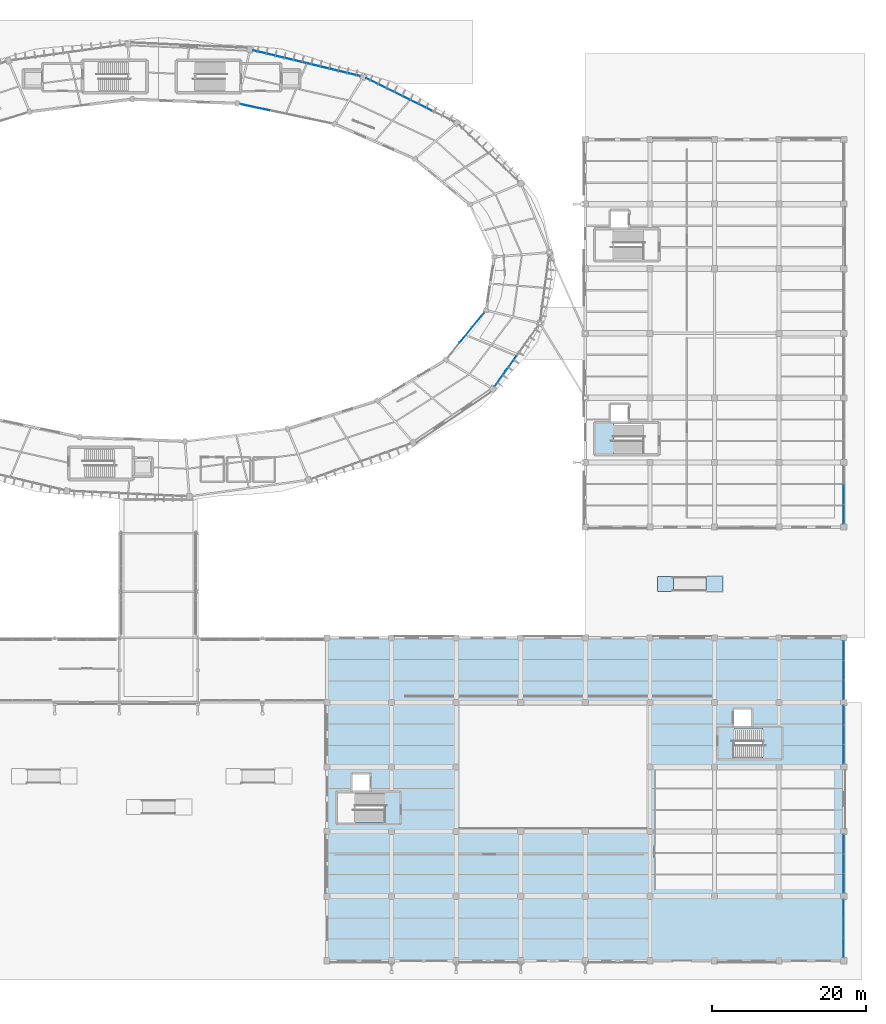
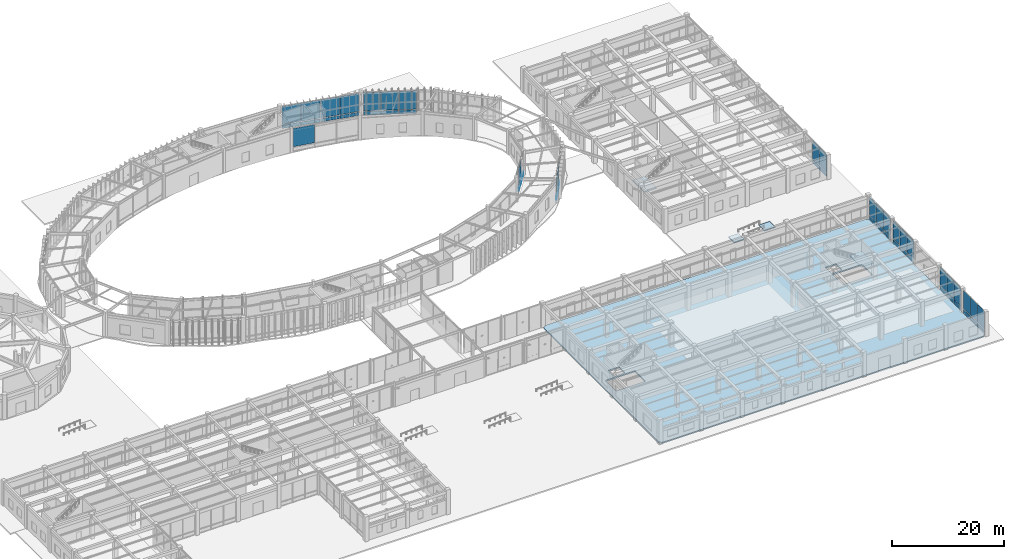
# One storey, part 116 of 157: 50 plates, 5 slabs, 13 elements without a shape of their own.
"""IFC4 building model written with IfcOpenShell, lengths in metres."""

from ifc_helpers import new_model, si_unit, direction, frame, origin, origin_2d, place, context, subcontext, project, spatial, polyline, rectangle, outline, extrude, material, layer, layer_set, type_object, element, aggregate, save


model = new_model("IFC4")

# Units and contexts
model_context = context("Model", 3, precision=1e-05, world=origin(), true_north=direction((0.0, 1.0)))
body_context = subcontext(model_context, "Body", "Model", "MODEL_VIEW")
ifc_project = project(units=[si_unit("LENGTHUNIT", "METRE"), si_unit("AREAUNIT", "SQUARE_METRE"), si_unit("VOLUMEUNIT", "CUBIC_METRE"), si_unit("PLANEANGLEUNIT", "RADIAN"), si_unit("MASSUNIT", "GRAM", prefix="KILO"), si_unit("THERMODYNAMICTEMPERATUREUNIT", "KELVIN"), si_unit("POWERUNIT", "WATT")], contexts=[model_context])

# Site, building, storey
site_placement = place(None, origin())
site = spatial("IfcSite", under=ifc_project, at=site_placement, CompositionType="ELEMENT")
building_placement = place(site_placement, origin())
building = spatial("IfcBuilding", under=site, at=building_placement, Name="Darbajah Civic Hall", CompositionType="ELEMENT")
storey_placement = place(building_placement, origin())
storey = spatial("IfcBuildingStorey", under=building, at=storey_placement, Name="L00", CompositionType="ELEMENT", Elevation=0.0)

# Curtain wall, plates
ifc_material_1 = material(Name="Anodised Bronze Aluminium and Low-E Glazing", Category="aluminium")
curtain_wall_type_1 = type_object("IfcCurtainWallType", Name="Unitised Curtain Wall CW-02 12800x5100", PredefinedType="USERDEFINED", material=ifc_material_1)
curtain_wall_1_placement = place(storey_placement, origin())
curtain_wall_1 = element("IfcCurtainWall", 1, at=curtain_wall_1_placement, inside=storey, type_object=curtain_wall_type_1, Name="L00 unitised curtain wall CW-V1O-L00-02", ObjectType="UNITISED CURTAIN WALL", PredefinedType="USERDEFINED")
ifc_material_2 = material(Name="Low-E Solar Control Double Glazing", Category="glass")
ifc_layer_1 = layer(ifc_material_2, 0.02392578125, Name="Low-E Solar Control Double Glazing")
ifc_layer_set_1 = layer_set([ifc_layer_1], Name="Low-E Solar Control Double Glazing")
plate_type_1 = type_object("IfcPlateType", Name="Solar Double Glazing 24mm", PredefinedType="CURTAIN_PANEL", material=ifc_layer_set_1)
plate_1_placement = place(storey_placement, frame((123.24609375, 111.248291015625, 0.10009765625), z_axis=(0.0, 0.0, 1.0), x_axis=(-0.89656374724, 0.442914717678, 0.0)))
plate_1 = element("IfcPlate", 2, at=plate_1_placement, type_object=plate_type_1, Name="CW-V1O-L00-02 glazed panel 2.1", PredefinedType="CURTAIN_PANEL", context=body_context, shape_type="SweptSolid", body=[
    extrude(rectangle(XDim=3.1298828125, YDim=0.02392578125, at=origin_2d()), origin(), (0.0, 0.0, 1.0), 0.800048828125),
])
plate_2_placement = place(storey_placement, frame((123.24609375, 111.248291015625, 1.0), z_axis=(0.0, 0.0, 1.0), x_axis=(-0.89656374724, 0.442914717678, 0.0)))
plate_2 = element("IfcPlate", 3, at=plate_2_placement, type_object=plate_type_1, Name="CW-V1O-L00-02 glazed panel 2.2", PredefinedType="CURTAIN_PANEL", context=body_context, shape_type="SweptSolid", body=[
    extrude(rectangle(XDim=3.1298828125, YDim=0.02392578125, at=origin_2d()), origin(), (0.0, 0.0, 1.0), 4.02001953125),
])
plate_3_placement = place(storey_placement, frame((120.3818359375, 112.663330078125, 0.10009765625), z_axis=(0.0, 0.0, 1.0), x_axis=(-0.89656374724, 0.442914717678, 0.0)))
plate_3 = element("IfcPlate", 4, at=plate_3_placement, type_object=plate_type_1, Name="CW-V1O-L00-02 glazed panel 3.1", PredefinedType="CURTAIN_PANEL", context=body_context, shape_type="SweptSolid", body=[
    extrude(rectangle(XDim=3.1298828125, YDim=0.02392578125, at=origin_2d()), origin(), (0.0, 0.0, 1.0), 0.800048828125),
])
plate_4_placement = place(storey_placement, frame((120.3818359375, 112.663330078125, 1.0), z_axis=(0.0, 0.0, 1.0), x_axis=(-0.89656374724, 0.442914717678, 0.0)))
plate_4 = element("IfcPlate", 5, at=plate_4_placement, type_object=plate_type_1, Name="CW-V1O-L00-02 glazed panel 3.2", PredefinedType="CURTAIN_PANEL", context=body_context, shape_type="SweptSolid", body=[
    extrude(rectangle(XDim=3.1298828125, YDim=0.02392578125, at=origin_2d()), origin(), (0.0, 0.0, 1.0), 4.02001953125),
])
plate_5_placement = place(storey_placement, frame((117.517578125, 114.078369140625, 0.10009765625), z_axis=(0.0, 0.0, 1.0), x_axis=(-0.89656374724, 0.442914717678, 0.0)))
plate_5 = element("IfcPlate", 6, at=plate_5_placement, type_object=plate_type_1, Name="CW-V1O-L00-02 glazed panel 4.1", PredefinedType="CURTAIN_PANEL", context=body_context, shape_type="SweptSolid", body=[
    extrude(rectangle(XDim=3.1298828125, YDim=0.02392578125, at=origin_2d()), origin(), (0.0, 0.0, 1.0), 0.800048828125),
])
plate_6_placement = place(storey_placement, frame((117.517578125, 114.078369140625, 1.0), z_axis=(0.0, 0.0, 1.0), x_axis=(-0.89656374724, 0.442914717678, 0.0)))
plate_6 = element("IfcPlate", 7, at=plate_6_placement, type_object=plate_type_1, Name="CW-V1O-L00-02 glazed panel 4.2", PredefinedType="CURTAIN_PANEL", context=body_context, shape_type="SweptSolid", body=[
    extrude(rectangle(XDim=3.1298828125, YDim=0.02392578125, at=origin_2d()), origin(), (0.0, 0.0, 1.0), 4.02001953125),
])
aggregate(curtain_wall_1, [plate_1, plate_2, plate_3, plate_4, plate_5, plate_6])

# Curtain wall, plate
curtain_wall_type_2 = type_object("IfcCurtainWallType", Name="Unitised Curtain Wall CW-04 12200x5100", PredefinedType="USERDEFINED", material=ifc_material_1)
curtain_wall_2_placement = place(storey_placement, origin())
curtain_wall_2 = element("IfcCurtainWall", 8, at=curtain_wall_2_placement, inside=storey, type_object=curtain_wall_type_2, Name="L00 unitised curtain wall CW-V1I-L00-03", ObjectType="UNITISED CURTAIN WALL", PredefinedType="USERDEFINED")
ifc_layer_2 = layer(ifc_material_2, 0.028076171875, Name="Low-E Solar Control Double Glazing")
ifc_layer_set_2 = layer_set([ifc_layer_2], Name="Low-E Solar Control Double Glazing")
plate_type_2 = type_object("IfcPlateType", Name="Solar Double Glazing 28mm", PredefinedType="CURTAIN_PANEL", material=ifc_layer_set_2)
plate_7_placement = place(storey_placement, frame((101.66455078125, 110.990478515625, 1.009765625), z_axis=(0.0, 0.0, 1.0), x_axis=(-0.978472980779, 0.206374964291, 0.0)))
plate_7 = element("IfcPlate", 9, at=plate_7_placement, type_object=plate_type_2, Name="CW-V1I-L00-03 glazed panel 3.2", PredefinedType="CURTAIN_PANEL", context=body_context, shape_type="SweptSolid", body=[
    extrude(rectangle(XDim=4.00830078125, YDim=0.028076171875, at=origin_2d()), origin(), (0.0, 0.0, 1.0), 3.989990234375),
])
aggregate(curtain_wall_2, [plate_7])

# Curtain wall, plates
curtain_wall_type_3 = type_object("IfcCurtainWallType", Name="Unitised Curtain Wall CW-17 7600x5100", PredefinedType="USERDEFINED", material=ifc_material_1)
curtain_wall_3_placement = place(storey_placement, origin())
curtain_wall_3 = element("IfcCurtainWall", 10, at=curtain_wall_3_placement, inside=storey, type_object=curtain_wall_type_3, Name="L00 unitised curtain wall CW-V1I-L00-18", ObjectType="UNITISED CURTAIN WALL", PredefinedType="USERDEFINED")
plate_8_placement = place(storey_placement, frame((129.067626953125, 81.371337890625, 0.119873046875), z_axis=(0.0, 0.0, 1.0), x_axis=(0.63108205791, 0.775716079622, 0.0)))
plate_8 = element("IfcPlate", 11, at=plate_8_placement, type_object=plate_type_2, Name="CW-V1I-L00-18 glazed panel 2.1", PredefinedType="CURTAIN_PANEL", context=body_context, shape_type="SweptSolid", body=[
    extrude(rectangle(XDim=2.46533203125, YDim=0.028076171875, at=origin_2d()), origin(), (0.0, 0.0, 1.0), 0.77001953125),
])
plate_9_placement = place(storey_placement, frame((129.067626953125, 81.371337890625, 1.009765625), z_axis=(0.0, 0.0, 1.0), x_axis=(0.63108205791, 0.775716079622, 0.0)))
plate_9 = element("IfcPlate", 12, at=plate_9_placement, type_object=plate_type_2, Name="CW-V1I-L00-18 glazed panel 2.2", PredefinedType="CURTAIN_PANEL", context=body_context, shape_type="SweptSolid", body=[
    extrude(rectangle(XDim=2.46533203125, YDim=0.028076171875, at=origin_2d()), origin(), (0.0, 0.0, 1.0), 3.989990234375),
])
plate_10_placement = place(storey_placement, frame((130.667724609375, 83.337890625, 0.119873046875), z_axis=(0.0, 0.0, 1.0), x_axis=(0.63108205791, 0.775716079622, 0.0)))
plate_10 = element("IfcPlate", 13, at=plate_10_placement, type_object=plate_type_2, Name="CW-V1I-L00-18 glazed panel 3.1", PredefinedType="CURTAIN_PANEL", context=body_context, shape_type="SweptSolid", body=[
    extrude(rectangle(XDim=2.46533203125, YDim=0.028076171875, at=origin_2d()), origin(), (0.0, 0.0, 1.0), 0.77001953125),
])
aggregate(curtain_wall_3, [plate_8, plate_9, plate_10])

curtain_wall_type_4 = type_object("IfcCurtainWallType", Name="Unitised Curtain Wall CW-03 14400x5100", PredefinedType="USERDEFINED", material=ifc_material_1)
curtain_wall_4_placement = place(storey_placement, origin())
curtain_wall_4 = element("IfcCurtainWall", 14, at=curtain_wall_4_placement, inside=storey, type_object=curtain_wall_type_4, Name="L00 unitised curtain wall CW-V1O-L00-03", ObjectType="UNITISED CURTAIN WALL", PredefinedType="USERDEFINED")
ifc_layer_3 = layer(ifc_material_2, 0.031982421875, Name="Low-E Solar Control Double Glazing")
ifc_layer_set_3 = layer_set([ifc_layer_3], Name="Low-E Solar Control Double Glazing")
plate_type_3 = type_object("IfcPlateType", Name="Solar Double Glazing 32mm", PredefinedType="CURTAIN_PANEL", material=ifc_layer_set_3)
plate_11_placement = place(storey_placement, frame((113.629638671875, 115.460205078125, 0.14013671875), z_axis=(0.0, 0.0, 1.0), x_axis=(-0.972492018808, 0.232936200179, 0.0)))
plate_11 = element("IfcPlate", 15, at=plate_11_placement, type_object=plate_type_3, Name="CW-V1O-L00-03 glazed panel 1.1", PredefinedType="CURTAIN_PANEL", context=body_context, shape_type="SweptSolid", body=[
    extrude(rectangle(XDim=3.526123046875, YDim=0.031982421875, at=origin_2d()), origin(), (0.0, 0.0, 1.0), 0.739990234375),
])
plate_12_placement = place(storey_placement, frame((113.629638671875, 115.460205078125, 1.02001953125), z_axis=(0.0, 0.0, 1.0), x_axis=(-0.972492018808, 0.232936200179, 0.0)))
plate_12 = element("IfcPlate", 16, at=plate_12_placement, type_object=plate_type_3, Name="CW-V1O-L00-03 glazed panel 1.2", PredefinedType="CURTAIN_PANEL", context=body_context, shape_type="SweptSolid", body=[
    extrude(rectangle(XDim=3.526123046875, YDim=0.031982421875, at=origin_2d()), origin(), (0.0, 0.0, 1.0), 3.9599609375),
])
plate_13_placement = place(storey_placement, frame((110.127685546875, 116.29931640625, 0.14013671875), z_axis=(0.0, 0.0, 1.0), x_axis=(-0.972492018808, 0.232936200179, 0.0)))
plate_13 = element("IfcPlate", 17, at=plate_13_placement, type_object=plate_type_3, Name="CW-V1O-L00-03 glazed panel 2.1", PredefinedType="CURTAIN_PANEL", context=body_context, shape_type="SweptSolid", body=[
    extrude(rectangle(XDim=3.526123046875, YDim=0.031982421875, at=origin_2d()), origin(), (0.0, 0.0, 1.0), 0.739990234375),
])
plate_14_placement = place(storey_placement, frame((110.127685546875, 116.29931640625, 1.02001953125), z_axis=(0.0, 0.0, 1.0), x_axis=(-0.972492018808, 0.232936200179, 0.0)))
plate_14 = element("IfcPlate", 18, at=plate_14_placement, type_object=plate_type_3, Name="CW-V1O-L00-03 glazed panel 2.2", PredefinedType="CURTAIN_PANEL", context=body_context, shape_type="SweptSolid", body=[
    extrude(rectangle(XDim=3.526123046875, YDim=0.031982421875, at=origin_2d()), origin(), (0.0, 0.0, 1.0), 3.9599609375),
])
plate_15_placement = place(storey_placement, frame((106.62548828125, 117.138427734375, 0.14013671875), z_axis=(0.0, 0.0, 1.0), x_axis=(-0.972492018808, 0.232936200179, 0.0)))
plate_15 = element("IfcPlate", 19, at=plate_15_placement, type_object=plate_type_3, Name="CW-V1O-L00-03 glazed panel 3.1", PredefinedType="CURTAIN_PANEL", context=body_context, shape_type="SweptSolid", body=[
    extrude(rectangle(XDim=3.526123046875, YDim=0.031982421875, at=origin_2d()), origin(), (0.0, 0.0, 1.0), 0.739990234375),
])
plate_16_placement = place(storey_placement, frame((106.62548828125, 117.138427734375, 1.02001953125), z_axis=(0.0, 0.0, 1.0), x_axis=(-0.972492018808, 0.232936200179, 0.0)))
plate_16 = element("IfcPlate", 20, at=plate_16_placement, type_object=plate_type_3, Name="CW-V1O-L00-03 glazed panel 3.2", PredefinedType="CURTAIN_PANEL", context=body_context, shape_type="SweptSolid", body=[
    extrude(rectangle(XDim=3.526123046875, YDim=0.031982421875, at=origin_2d()), origin(), (0.0, 0.0, 1.0), 3.9599609375),
])
plate_17_placement = place(storey_placement, frame((103.123291015625, 117.9775390625, 0.14013671875), z_axis=(0.0, 0.0, 1.0), x_axis=(-0.972492018808, 0.232936200179, 0.0)))
plate_17 = element("IfcPlate", 21, at=plate_17_placement, type_object=plate_type_3, Name="CW-V1O-L00-03 glazed panel 4.1", PredefinedType="CURTAIN_PANEL", context=body_context, shape_type="SweptSolid", body=[
    extrude(rectangle(XDim=3.526123046875, YDim=0.031982421875, at=origin_2d()), origin(), (0.0, 0.0, 1.0), 0.739990234375),
])
plate_18_placement = place(storey_placement, frame((103.123291015625, 117.9775390625, 1.02001953125), z_axis=(0.0, 0.0, 1.0), x_axis=(-0.972492018808, 0.232936200179, 0.0)))
plate_18 = element("IfcPlate", 22, at=plate_18_placement, type_object=plate_type_3, Name="CW-V1O-L00-03 glazed panel 4.2", PredefinedType="CURTAIN_PANEL", context=body_context, shape_type="SweptSolid", body=[
    extrude(rectangle(XDim=3.526123046875, YDim=0.031982421875, at=origin_2d()), origin(), (0.0, 0.0, 1.0), 3.9599609375),
])
aggregate(curtain_wall_4, [plate_11, plate_12, plate_13, plate_14, plate_15, plate_16, plate_17, plate_18])

curtain_wall_type_5 = type_object("IfcCurtainWallType", Name="Unitised Curtain Wall CW-16 9700x5100", PredefinedType="USERDEFINED", material=ifc_material_1)
curtain_wall_5_placement = place(storey_placement, origin())
curtain_wall_5 = element("IfcCurtainWall", 23, at=curtain_wall_5_placement, inside=storey, type_object=curtain_wall_type_5, Name="L00 unitised curtain wall CW-V1O-L00-18", ObjectType="UNITISED CURTAIN WALL", PredefinedType="USERDEFINED")
plate_19_placement = place(storey_placement, frame((133.512451171875, 75.68212890625, 0.14013671875), z_axis=(0.0, 0.0, 1.0), x_axis=(0.582264874145, 0.812999149039, 0.0)))
plate_19 = element("IfcPlate", 24, at=plate_19_placement, type_object=plate_type_3, Name="CW-V1O-L00-18 glazed panel 1.1", PredefinedType="CURTAIN_PANEL", context=body_context, shape_type="SweptSolid", body=[
    extrude(rectangle(XDim=2.3583984375, YDim=0.031982421875, at=origin_2d()), origin(), (0.0, 0.0, 1.0), 0.739990234375),
])
plate_20_placement = place(storey_placement, frame((133.512451171875, 75.68212890625, 1.02001953125), z_axis=(0.0, 0.0, 1.0), x_axis=(0.582264874145, 0.812999149039, 0.0)))
plate_20 = element("IfcPlate", 25, at=plate_20_placement, type_object=plate_type_3, Name="CW-V1O-L00-18 glazed panel 1.2", PredefinedType="CURTAIN_PANEL", context=body_context, shape_type="SweptSolid", body=[
    extrude(rectangle(XDim=2.3583984375, YDim=0.031982421875, at=origin_2d()), origin(), (0.0, 0.0, 1.0), 3.9599609375),
])
plate_21_placement = place(storey_placement, frame((134.92919921875, 77.66064453125, 0.14013671875), z_axis=(0.0, 0.0, 1.0), x_axis=(0.582264874145, 0.812999149039, 0.0)))
plate_21 = element("IfcPlate", 26, at=plate_21_placement, type_object=plate_type_3, Name="CW-V1O-L00-18 glazed panel 2.1", PredefinedType="CURTAIN_PANEL", context=body_context, shape_type="SweptSolid", body=[
    extrude(rectangle(XDim=2.3583984375, YDim=0.031982421875, at=origin_2d()), origin(), (0.0, 0.0, 1.0), 0.739990234375),
])
plate_22_placement = place(storey_placement, frame((134.92919921875, 77.66064453125, 1.02001953125), z_axis=(0.0, 0.0, 1.0), x_axis=(0.582264874145, 0.812999149039, 0.0)))
plate_22 = element("IfcPlate", 27, at=plate_22_placement, type_object=plate_type_3, Name="CW-V1O-L00-18 glazed panel 2.2", PredefinedType="CURTAIN_PANEL", context=body_context, shape_type="SweptSolid", body=[
    extrude(rectangle(XDim=2.3583984375, YDim=0.031982421875, at=origin_2d()), origin(), (0.0, 0.0, 1.0), 3.9599609375),
])
aggregate(curtain_wall_5, [plate_19, plate_20, plate_21, plate_22])

curtain_wall_6_placement = place(storey_placement, origin())
curtain_wall_6 = element("IfcCurtainWall", 28, at=curtain_wall_6_placement, inside=storey, type_object=curtain_wall_type_3, Name="L00 unitised curtain wall CW-V3-L00-S1-B0", ObjectType="UNITISED CURTAIN WALL", PredefinedType="USERDEFINED")
plate_23_placement = place(storey_placement, frame((178.199951171875, 1.66796875, 0.119873046875), z_axis=(0.0, 0.0, 1.0), x_axis=(0.0, 1.0, 0.0)))
plate_23 = element("IfcPlate", 29, at=plate_23_placement, type_object=plate_type_3, Name="CW-V3-L00-S1-B0 glazed panel 1.1", PredefinedType="CURTAIN_PANEL", context=body_context, shape_type="SweptSolid", body=[
    extrude(rectangle(XDim=2.4619140625, YDim=0.031982421875, at=origin_2d()), origin(), (0.0, 0.0, 1.0), 0.77001953125),
])
plate_24_placement = place(storey_placement, frame((178.199951171875, 1.66796875, 1.01025390625), z_axis=(0.0, 0.0, 1.0), x_axis=(0.0, 1.0, 0.0)))
plate_24 = element("IfcPlate", 30, at=plate_24_placement, type_object=plate_type_3, Name="CW-V3-L00-S1-B0 glazed panel 1.2", PredefinedType="CURTAIN_PANEL", context=body_context, shape_type="SweptSolid", body=[
    extrude(rectangle(XDim=2.4619140625, YDim=0.031982421875, at=origin_2d()), origin(), (0.0, 0.0, 1.0), 3.969970703125),
])
plate_25_placement = place(storey_placement, frame((178.199951171875, 4.199951171875, 0.119873046875), z_axis=(0.0, 0.0, 1.0), x_axis=(0.0, 1.0, 0.0)))
plate_25 = element("IfcPlate", 31, at=plate_25_placement, type_object=plate_type_3, Name="CW-V3-L00-S1-B0 glazed panel 2.1", PredefinedType="CURTAIN_PANEL", context=body_context, shape_type="SweptSolid", body=[
    extrude(rectangle(XDim=2.4619140625, YDim=0.031982421875, at=origin_2d()), origin(), (0.0, 0.0, 1.0), 0.77001953125),
])
plate_26_placement = place(storey_placement, frame((178.199951171875, 4.199951171875, 1.01025390625), z_axis=(0.0, 0.0, 1.0), x_axis=(0.0, 1.0, 0.0)))
plate_26 = element("IfcPlate", 32, at=plate_26_placement, type_object=plate_type_3, Name="CW-V3-L00-S1-B0 glazed panel 2.2", PredefinedType="CURTAIN_PANEL", context=body_context, shape_type="SweptSolid", body=[
    extrude(rectangle(XDim=2.4619140625, YDim=0.031982421875, at=origin_2d()), origin(), (0.0, 0.0, 1.0), 3.969970703125),
])
plate_27_placement = place(storey_placement, frame((178.199951171875, 6.73193359375, 0.119873046875), z_axis=(0.0, 0.0, 1.0), x_axis=(0.0, 1.0, 0.0)))
plate_27 = element("IfcPlate", 33, at=plate_27_placement, type_object=plate_type_3, Name="CW-V3-L00-S1-B0 glazed panel 3.1", PredefinedType="CURTAIN_PANEL", context=body_context, shape_type="SweptSolid", body=[
    extrude(rectangle(XDim=2.4619140625, YDim=0.031982421875, at=origin_2d()), origin(), (0.0, 0.0, 1.0), 0.77001953125),
])
plate_28_placement = place(storey_placement, frame((178.199951171875, 6.73193359375, 1.01025390625), z_axis=(0.0, 0.0, 1.0), x_axis=(0.0, 1.0, 0.0)))
plate_28 = element("IfcPlate", 34, at=plate_28_placement, type_object=plate_type_3, Name="CW-V3-L00-S1-B0 glazed panel 3.2", PredefinedType="CURTAIN_PANEL", context=body_context, shape_type="SweptSolid", body=[
    extrude(rectangle(XDim=2.4619140625, YDim=0.031982421875, at=origin_2d()), origin(), (0.0, 0.0, 1.0), 3.969970703125),
])
aggregate(curtain_wall_6, [plate_23, plate_24, plate_25, plate_26, plate_27, plate_28])

curtain_wall_7_placement = place(storey_placement, origin())
curtain_wall_7 = element("IfcCurtainWall", 35, at=curtain_wall_7_placement, inside=storey, type_object=curtain_wall_type_3, Name="L00 unitised curtain wall CW-V3-L00-S1-B1", ObjectType="UNITISED CURTAIN WALL", PredefinedType="USERDEFINED")
plate_29_placement = place(storey_placement, frame((178.199951171875, 10.068115234375, 0.119873046875), z_axis=(0.0, 0.0, 1.0), x_axis=(0.0, 1.0, 0.0)))
plate_29 = element("IfcPlate", 36, at=plate_29_placement, type_object=plate_type_3, Name="CW-V3-L00-S1-B1 glazed panel 1.1", PredefinedType="CURTAIN_PANEL", context=body_context, shape_type="SweptSolid", body=[
    extrude(rectangle(XDim=2.4619140625, YDim=0.031982421875, at=origin_2d()), origin(), (0.0, 0.0, 1.0), 0.77001953125),
])
plate_30_placement = place(storey_placement, frame((178.199951171875, 10.068115234375, 1.01025390625), z_axis=(0.0, 0.0, 1.0), x_axis=(0.0, 1.0, 0.0)))
plate_30 = element("IfcPlate", 37, at=plate_30_placement, type_object=plate_type_3, Name="CW-V3-L00-S1-B1 glazed panel 1.2", PredefinedType="CURTAIN_PANEL", context=body_context, shape_type="SweptSolid", body=[
    extrude(rectangle(XDim=2.4619140625, YDim=0.031982421875, at=origin_2d()), origin(), (0.0, 0.0, 1.0), 3.969970703125),
])
plate_31_placement = place(storey_placement, frame((178.199951171875, 12.60009765625, 0.119873046875), z_axis=(0.0, 0.0, 1.0), x_axis=(0.0, 1.0, 0.0)))
plate_31 = element("IfcPlate", 38, at=plate_31_placement, type_object=plate_type_3, Name="CW-V3-L00-S1-B1 glazed panel 2.1", PredefinedType="CURTAIN_PANEL", context=body_context, shape_type="SweptSolid", body=[
    extrude(rectangle(XDim=2.4619140625, YDim=0.031982421875, at=origin_2d()), origin(), (0.0, 0.0, 1.0), 0.77001953125),
])
plate_32_placement = place(storey_placement, frame((178.199951171875, 12.60009765625, 1.01025390625), z_axis=(0.0, 0.0, 1.0), x_axis=(0.0, 1.0, 0.0)))
plate_32 = element("IfcPlate", 39, at=plate_32_placement, type_object=plate_type_3, Name="CW-V3-L00-S1-B1 glazed panel 2.2", PredefinedType="CURTAIN_PANEL", context=body_context, shape_type="SweptSolid", body=[
    extrude(rectangle(XDim=2.4619140625, YDim=0.031982421875, at=origin_2d()), origin(), (0.0, 0.0, 1.0), 3.969970703125),
])
plate_33_placement = place(storey_placement, frame((178.199951171875, 15.132080078125, 0.119873046875), z_axis=(0.0, 0.0, 1.0), x_axis=(0.0, 1.0, 0.0)))
plate_33 = element("IfcPlate", 40, at=plate_33_placement, type_object=plate_type_3, Name="CW-V3-L00-S1-B1 glazed panel 3.1", PredefinedType="CURTAIN_PANEL", context=body_context, shape_type="SweptSolid", body=[
    extrude(rectangle(XDim=2.4619140625, YDim=0.031982421875, at=origin_2d()), origin(), (0.0, 0.0, 1.0), 0.77001953125),
])
plate_34_placement = place(storey_placement, frame((178.199951171875, 15.132080078125, 1.01025390625), z_axis=(0.0, 0.0, 1.0), x_axis=(0.0, 1.0, 0.0)))
plate_34 = element("IfcPlate", 41, at=plate_34_placement, type_object=plate_type_3, Name="CW-V3-L00-S1-B1 glazed panel 3.2", PredefinedType="CURTAIN_PANEL", context=body_context, shape_type="SweptSolid", body=[
    extrude(rectangle(XDim=2.4619140625, YDim=0.031982421875, at=origin_2d()), origin(), (0.0, 0.0, 1.0), 3.969970703125),
])
aggregate(curtain_wall_7, [plate_29, plate_30, plate_31, plate_32, plate_33, plate_34])

curtain_wall_8_placement = place(storey_placement, origin())
curtain_wall_8 = element("IfcCurtainWall", 42, at=curtain_wall_8_placement, inside=storey, type_object=curtain_wall_type_3, Name="L00 unitised curtain wall CW-V3-L00-S1-B3", ObjectType="UNITISED CURTAIN WALL", PredefinedType="USERDEFINED")
plate_35_placement = place(storey_placement, frame((178.199951171875, 26.867919921875, 0.119873046875), z_axis=(0.0, 0.0, 1.0), x_axis=(0.0, 1.0, 0.0)))
plate_35 = element("IfcPlate", 43, at=plate_35_placement, type_object=plate_type_3, Name="CW-V3-L00-S1-B3 glazed panel 1.1", PredefinedType="CURTAIN_PANEL", context=body_context, shape_type="SweptSolid", body=[
    extrude(rectangle(XDim=2.4619140625, YDim=0.031982421875, at=origin_2d()), origin(), (0.0, 0.0, 1.0), 0.77001953125),
])
plate_36_placement = place(storey_placement, frame((178.199951171875, 26.867919921875, 1.01025390625), z_axis=(0.0, 0.0, 1.0), x_axis=(0.0, 1.0, 0.0)))
plate_36 = element("IfcPlate", 44, at=plate_36_placement, type_object=plate_type_3, Name="CW-V3-L00-S1-B3 glazed panel 1.2", PredefinedType="CURTAIN_PANEL", context=body_context, shape_type="SweptSolid", body=[
    extrude(rectangle(XDim=2.4619140625, YDim=0.031982421875, at=origin_2d()), origin(), (0.0, 0.0, 1.0), 3.969970703125),
])
plate_37_placement = place(storey_placement, frame((178.199951171875, 29.39990234375, 0.119873046875), z_axis=(0.0, 0.0, 1.0), x_axis=(0.0, 1.0, 0.0)))
plate_37 = element("IfcPlate", 45, at=plate_37_placement, type_object=plate_type_3, Name="CW-V3-L00-S1-B3 glazed panel 2.1", PredefinedType="CURTAIN_PANEL", context=body_context, shape_type="SweptSolid", body=[
    extrude(rectangle(XDim=2.4619140625, YDim=0.031982421875, at=origin_2d()), origin(), (0.0, 0.0, 1.0), 0.77001953125),
])
plate_38_placement = place(storey_placement, frame((178.199951171875, 29.39990234375, 1.01025390625), z_axis=(0.0, 0.0, 1.0), x_axis=(0.0, 1.0, 0.0)))
plate_38 = element("IfcPlate", 46, at=plate_38_placement, type_object=plate_type_3, Name="CW-V3-L00-S1-B3 glazed panel 2.2", PredefinedType="CURTAIN_PANEL", context=body_context, shape_type="SweptSolid", body=[
    extrude(rectangle(XDim=2.4619140625, YDim=0.031982421875, at=origin_2d()), origin(), (0.0, 0.0, 1.0), 3.969970703125),
])
plate_39_placement = place(storey_placement, frame((178.199951171875, 31.931884765625, 0.119873046875), z_axis=(0.0, 0.0, 1.0), x_axis=(0.0, 1.0, 0.0)))
plate_39 = element("IfcPlate", 47, at=plate_39_placement, type_object=plate_type_3, Name="CW-V3-L00-S1-B3 glazed panel 3.1", PredefinedType="CURTAIN_PANEL", context=body_context, shape_type="SweptSolid", body=[
    extrude(rectangle(XDim=2.4619140625, YDim=0.031982421875, at=origin_2d()), origin(), (0.0, 0.0, 1.0), 0.77001953125),
])
plate_40_placement = place(storey_placement, frame((178.199951171875, 31.931884765625, 1.01025390625), z_axis=(0.0, 0.0, 1.0), x_axis=(0.0, 1.0, 0.0)))
plate_40 = element("IfcPlate", 48, at=plate_40_placement, type_object=plate_type_3, Name="CW-V3-L00-S1-B3 glazed panel 3.2", PredefinedType="CURTAIN_PANEL", context=body_context, shape_type="SweptSolid", body=[
    extrude(rectangle(XDim=2.4619140625, YDim=0.031982421875, at=origin_2d()), origin(), (0.0, 0.0, 1.0), 3.969970703125),
])
aggregate(curtain_wall_8, [plate_35, plate_36, plate_37, plate_38, plate_39, plate_40])

curtain_wall_9_placement = place(storey_placement, origin())
curtain_wall_9 = element("IfcCurtainWall", 49, at=curtain_wall_9_placement, inside=storey, type_object=curtain_wall_type_3, Name="L00 unitised curtain wall CW-V3-L00-S1-B4", ObjectType="UNITISED CURTAIN WALL", PredefinedType="USERDEFINED")
plate_41_placement = place(storey_placement, frame((178.199951171875, 35.26806640625, 0.119873046875), z_axis=(0.0, 0.0, 1.0), x_axis=(0.0, 1.0, 0.0)))
plate_41 = element("IfcPlate", 50, at=plate_41_placement, type_object=plate_type_3, Name="CW-V3-L00-S1-B4 glazed panel 1.1", PredefinedType="CURTAIN_PANEL", context=body_context, shape_type="SweptSolid", body=[
    extrude(rectangle(XDim=2.4619140625, YDim=0.031982421875, at=origin_2d()), origin(), (0.0, 0.0, 1.0), 0.77001953125),
])
plate_42_placement = place(storey_placement, frame((178.199951171875, 35.26806640625, 1.01025390625), z_axis=(0.0, 0.0, 1.0), x_axis=(0.0, 1.0, 0.0)))
plate_42 = element("IfcPlate", 51, at=plate_42_placement, type_object=plate_type_3, Name="CW-V3-L00-S1-B4 glazed panel 1.2", PredefinedType="CURTAIN_PANEL", context=body_context, shape_type="SweptSolid", body=[
    extrude(rectangle(XDim=2.4619140625, YDim=0.031982421875, at=origin_2d()), origin(), (0.0, 0.0, 1.0), 3.969970703125),
])
plate_43_placement = place(storey_placement, frame((178.199951171875, 37.800048828125, 0.119873046875), z_axis=(0.0, 0.0, 1.0), x_axis=(0.0, 1.0, 0.0)))
plate_43 = element("IfcPlate", 52, at=plate_43_placement, type_object=plate_type_3, Name="CW-V3-L00-S1-B4 glazed panel 2.1", PredefinedType="CURTAIN_PANEL", context=body_context, shape_type="SweptSolid", body=[
    extrude(rectangle(XDim=2.4619140625, YDim=0.031982421875, at=origin_2d()), origin(), (0.0, 0.0, 1.0), 0.77001953125),
])
plate_44_placement = place(storey_placement, frame((178.199951171875, 37.800048828125, 1.01025390625), z_axis=(0.0, 0.0, 1.0), x_axis=(0.0, 1.0, 0.0)))
plate_44 = element("IfcPlate", 53, at=plate_44_placement, type_object=plate_type_3, Name="CW-V3-L00-S1-B4 glazed panel 2.2", PredefinedType="CURTAIN_PANEL", context=body_context, shape_type="SweptSolid", body=[
    extrude(rectangle(XDim=2.4619140625, YDim=0.031982421875, at=origin_2d()), origin(), (0.0, 0.0, 1.0), 3.969970703125),
])
plate_45_placement = place(storey_placement, frame((178.199951171875, 40.33203125, 0.119873046875), z_axis=(0.0, 0.0, 1.0), x_axis=(0.0, 1.0, 0.0)))
plate_45 = element("IfcPlate", 54, at=plate_45_placement, type_object=plate_type_3, Name="CW-V3-L00-S1-B4 glazed panel 3.1", PredefinedType="CURTAIN_PANEL", context=body_context, shape_type="SweptSolid", body=[
    extrude(rectangle(XDim=2.4619140625, YDim=0.031982421875, at=origin_2d()), origin(), (0.0, 0.0, 1.0), 0.77001953125),
])
plate_46_placement = place(storey_placement, frame((178.199951171875, 40.33203125, 1.01025390625), z_axis=(0.0, 0.0, 1.0), x_axis=(0.0, 1.0, 0.0)))
plate_46 = element("IfcPlate", 55, at=plate_46_placement, type_object=plate_type_3, Name="CW-V3-L00-S1-B4 glazed panel 3.2", PredefinedType="CURTAIN_PANEL", context=body_context, shape_type="SweptSolid", body=[
    extrude(rectangle(XDim=2.4619140625, YDim=0.031982421875, at=origin_2d()), origin(), (0.0, 0.0, 1.0), 3.969970703125),
])
aggregate(curtain_wall_9, [plate_41, plate_42, plate_43, plate_44, plate_45, plate_46])

curtain_wall_type_6 = type_object("IfcCurtainWallType", Name="Unitised Curtain Wall CW-95 7600x5050", PredefinedType="USERDEFINED", material=ifc_material_1)
curtain_wall_10_placement = place(storey_placement, origin())
curtain_wall_10 = element("IfcCurtainWall", 56, at=curtain_wall_10_placement, inside=storey, type_object=curtain_wall_type_6, Name="L00 unitised curtain wall CW-V4-L00-S1-B0", ObjectType="UNITISED CURTAIN WALL", PredefinedType="USERDEFINED")
plate_47_placement = place(storey_placement, frame((178.199951171875, 58.068115234375, 0.119873046875), z_axis=(0.0, 0.0, 1.0), x_axis=(0.0, 1.0, 0.0)))
plate_47 = element("IfcPlate", 57, at=plate_47_placement, type_object=plate_type_3, Name="CW-V4-L00-S1-B0 glazed panel 1.1", PredefinedType="CURTAIN_PANEL", context=body_context, shape_type="SweptSolid", body=[
    extrude(rectangle(XDim=2.4619140625, YDim=0.031982421875, at=origin_2d()), origin(), (0.0, 0.0, 1.0), 0.77001953125),
])
plate_48_placement = place(storey_placement, frame((178.199951171875, 58.068115234375, 1.01025390625), z_axis=(0.0, 0.0, 1.0), x_axis=(0.0, 1.0, 0.0)))
plate_48 = element("IfcPlate", 58, at=plate_48_placement, type_object=plate_type_3, Name="CW-V4-L00-S1-B0 glazed panel 1.2", PredefinedType="CURTAIN_PANEL", context=body_context, shape_type="SweptSolid", body=[
    extrude(rectangle(XDim=2.4619140625, YDim=0.031982421875, at=origin_2d()), origin(), (0.0, 0.0, 1.0), 3.929931640625),
])
plate_49_placement = place(storey_placement, frame((178.199951171875, 60.60009765625, 0.119873046875), z_axis=(0.0, 0.0, 1.0), x_axis=(0.0, 1.0, 0.0)))
plate_49 = element("IfcPlate", 59, at=plate_49_placement, type_object=plate_type_3, Name="CW-V4-L00-S1-B0 glazed panel 2.1", PredefinedType="CURTAIN_PANEL", context=body_context, shape_type="SweptSolid", body=[
    extrude(rectangle(XDim=2.4619140625, YDim=0.031982421875, at=origin_2d()), origin(), (0.0, 0.0, 1.0), 0.77001953125),
])
plate_50_placement = place(storey_placement, frame((178.199951171875, 60.60009765625, 1.01025390625), z_axis=(0.0, 0.0, 1.0), x_axis=(0.0, 1.0, 0.0)))
plate_50 = element("IfcPlate", 60, at=plate_50_placement, type_object=plate_type_3, Name="CW-V4-L00-S1-B0 glazed panel 2.2", PredefinedType="CURTAIN_PANEL", context=body_context, shape_type="SweptSolid", body=[
    extrude(rectangle(XDim=2.4619140625, YDim=0.031982421875, at=origin_2d()), origin(), (0.0, 0.0, 1.0), 3.929931640625),
])
aggregate(curtain_wall_10, [plate_47, plate_48, plate_49, plate_50])

# Stair, slab
ifc_material_3 = material(Name="Concrete C45/55", Category="concrete")
stair_type = type_object("IfcStairType", Name="Half Turn Stair 1650x5400", PredefinedType="HALF_TURN_STAIR", material=ifc_material_3)
stair_1_placement = place(storey_placement, origin())
stair_1 = element("IfcStair", 61, at=stair_1_placement, inside=storey, type_object=stair_type, Name="L00 enclosed exit stair ST07", PredefinedType="HALF_TURN_STAIR")
ifc_layer_4 = layer(ifc_material_3, 0.199951171875, Name="Concrete C45/55")
ifc_layer_set_4 = layer_set([ifc_layer_4], Name="Concrete C45/55")
slab_type_1 = type_object("IfcSlabType", Name="Stair Landing Slab 200mm", PredefinedType="LANDING", material=ifc_layer_set_4)
slab_1_placement = place(storey_placement, frame((0.0, 0.0, 2.5)))
slab_1 = element("IfcSlab", 62, at=slab_1_placement, type_object=slab_type_1, Name="ST07 L00 half-landing", PredefinedType="LANDING", context=body_context, shape_type="SweptSolid", body=[
    extrude(outline(polyline([(167.659912109375, 26.199951171875), (170.199951171875, 26.199951171875), (170.199951171875, 30.39990234375), (167.659912109375, 30.39990234375), (167.659912109375, 26.199951171875)])), origin(), (0.0, 0.0, 1.0), 0.199951171875),
])
aggregate(stair_1, [slab_1])

stair_2_placement = place(storey_placement, origin())
stair_2 = element("IfcStair", 63, at=stair_2_placement, inside=storey, type_object=stair_type, Name="L00 enclosed exit stair ST09", PredefinedType="HALF_TURN_STAIR")
slab_2_placement = place(storey_placement, frame((0.0, 0.0, 2.5)))
slab_2 = element("IfcSlab", 64, at=slab_2_placement, type_object=slab_type_1, Name="ST09 L00 half-landing", PredefinedType="LANDING", context=body_context, shape_type="SweptSolid", body=[
    extrude(outline(polyline([(145.800048828125, 65.800048828125), (148.340087890625, 65.800048828125), (148.340087890625, 70.0), (145.800048828125, 70.0), (145.800048828125, 65.800048828125)])), origin(), (0.0, 0.0, 1.0), 0.199951171875),
])
aggregate(stair_2, [slab_2])

# Ramp, slabs
ramp_type = type_object("IfcRampType", Name="Exterior Plaza Accessible Ramp", PredefinedType="STRAIGHT_RUN_RAMP", material=ifc_material_3)
ramp_placement = place(storey_placement, origin())
ramp = element("IfcRamp", 65, at=ramp_placement, inside=storey, type_object=ramp_type, Name="East Library Forecourt Accessible Ramp", PredefinedType="STRAIGHT_RUN_RAMP")
slab_3_placement = place(storey_placement, frame((0.0, 0.0, -0.56005859375)))
slab_3 = element("IfcSlab", 66, at=slab_3_placement, type_object=slab_type_1, Name="East Library Forecourt Accessible Ramp lower landing", PredefinedType="LANDING", context=body_context, shape_type="SweptSolid", body=[
    extrude(outline(polyline([(154.0, 48.0), (156.050048828125, 48.0), (156.050048828125, 50.0), (154.0, 50.0), (154.0, 48.0)])), origin(), (0.0, 0.0, 1.0), 0.199951171875),
])
slab_4_placement = place(storey_placement, frame((0.0, 0.0, -0.199951171875)))
slab_4 = element("IfcSlab", 67, at=slab_4_placement, type_object=slab_type_1, Name="East Library Forecourt Accessible Ramp upper landing", PredefinedType="LANDING", context=body_context, shape_type="SweptSolid", body=[
    extrude(outline(polyline([(160.27001953125, 48.0), (162.52001953125, 48.0), (162.52001953125, 50.0), (160.27001953125, 50.0), (160.27001953125, 48.0)])), origin(), (0.0, 0.0, 1.0), 0.199951171875),
])
aggregate(ramp, [slab_3, slab_4])

# Slab
ifc_layer_5 = layer(ifc_material_3, 0.300048828125, Name="Concrete C45/55")
ifc_layer_set_5 = layer_set([ifc_layer_5], Name="Concrete C45/55")
slab_type_2 = type_object("IfcSlabType", Name="Structural Floor Slab 300mm", PredefinedType="FLOOR", material=ifc_layer_set_5)
slab_5_placement = place(storey_placement, frame((0.0, 0.0, -0.300048828125)))
element("IfcSlab", 68, at=slab_5_placement, inside=storey, type_object=slab_type_2, Name="L00 Public Hall and Citizens Service floor slab", PredefinedType="FLOOR", context=body_context, shape_type="SweptSolid", body=[
    extrude(outline(polyline([(111.5, 0.0), (177.699951171875, 0.0), (178.199951171875, 0.5), (178.199951171875, 41.5), (177.699951171875, 42.0), (111.5, 42.0), (111.0, 41.5), (111.0, 0.5), (111.5, 0.0)]), holes=[polyline([(112.340087890625, 21.780029296875), (118.419921875, 21.780029296875), (118.419921875, 18.02001953125), (112.340087890625, 18.02001953125), (112.340087890625, 21.780029296875)]), polyline([(114.35009765625, 24.25), (116.550048828125, 24.25), (116.550048828125, 22.14990234375), (114.35009765625, 22.14990234375), (114.35009765625, 24.25)]), polyline([(163.97998046875, 30.179931640625), (170.06005859375, 30.179931640625), (170.06005859375, 26.419921875), (163.97998046875, 26.419921875), (163.97998046875, 30.179931640625)]), polyline([(163.949951171875, 32.64990234375), (166.14990234375, 32.64990234375), (166.14990234375, 30.550048828125), (163.949951171875, 30.550048828125), (163.949951171875, 32.64990234375)])]), origin(), (0.0, 0.0, 1.0), 0.300048828125),
])

save(model, "model.ifc")
